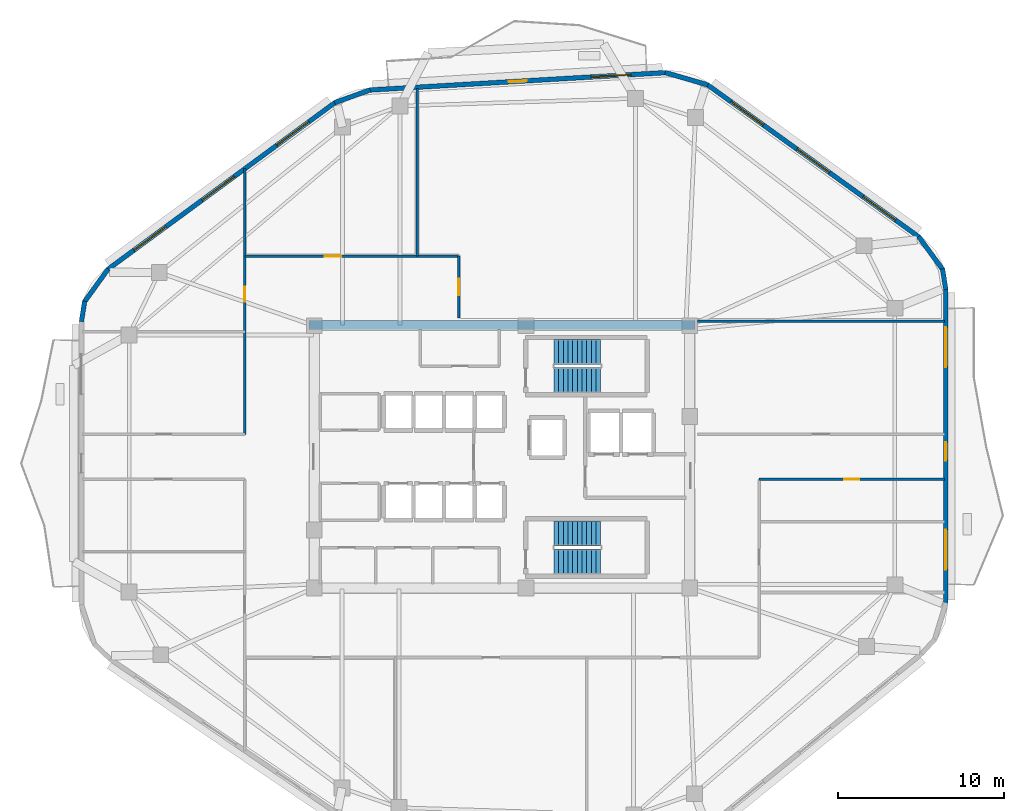
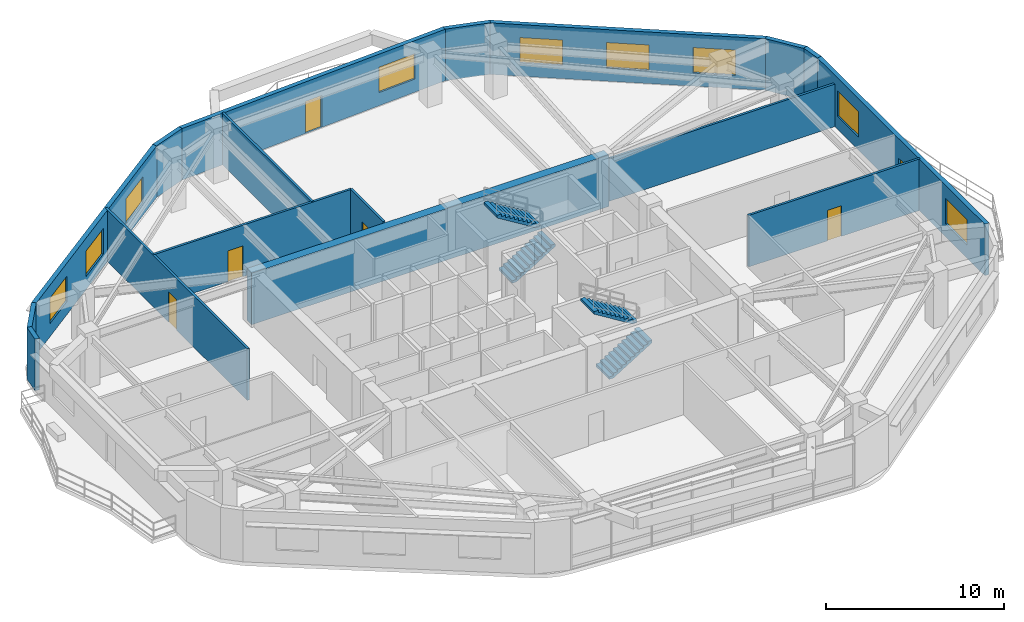
# One storey, part 11 of 14: 17 walls, 9 windows, 6 doors, 4 stair flights, 15 openings, 2 elements without a shape of their own.
"""IFC4 building model written with IfcOpenShell, lengths in metres."""

import ifcopenshell
import ifcopenshell.guid

model = None  # the IFC model being written
_history = None  # IfcOwnerHistory: only IFC2X3 demands one
_inside = {}  # id of a spatial element -> (the spatial element, [elements in it])
_under = {}  # id of a project, library or spatial element -> (it, [spatial elements below it])
_declared = {}  # id of a project -> (the project, [libraries it declares])
_typed = {}  # id of a type object -> (the type object, [elements of that type])
_made_of = {}  # id of a material, layer set ... -> (it, [elements and type objects made of it])


def new_model(schema):
    """Start an empty IFC model of exactly this schema.

    Asked for "IFC4X3", IfcOpenShell would pick the latest addendum, in which some entities
    have other attributes; the version numbers below select the first issue.
    IFC2X3 requires an IfcOwnerHistory on every rooted entity: one is made here for all.
    """
    global model, _history
    if schema == "IFC4X3":
        model = ifcopenshell.file(schema_version=(4, 3, 0, 0))
    else:
        model = ifcopenshell.file(schema=schema)
    _inside.clear()
    _under.clear()
    _declared.clear()
    _typed.clear()
    _made_of.clear()
    _history = None
    if model.schema == "IFC2X3":
        org = make("IfcOrganization", Name="unknown")
        user = make(
            "IfcPersonAndOrganization",
            ThePerson=make("IfcPerson", FamilyName="unknown"),
            TheOrganization=org,
        )
        app = make(
            "IfcApplication",
            ApplicationDeveloper=org,
            Version="unknown",
            ApplicationFullName="unknown",
            ApplicationIdentifier="unknown",
        )
        _history = make(
            "IfcOwnerHistory",
            OwningUser=user,
            OwningApplication=app,
            ChangeAction="ADDED",
            CreationDate=0,
        )
    return model


def make(cls, **values):
    """One entity of the class cls with the attributes given. An attribute that is None is left unset."""
    return model.create_entity(
        cls, **{name: value for name, value in values.items() if value is not None}
    )


def rooted(cls, **values):
    """An entity with a GlobalId (a new one), such as an element, a storey or a relation."""
    return make(cls, GlobalId=ifcopenshell.guid.new(), OwnerHistory=_history, **values)


def si_unit(unit_type, name, prefix=None):
    """IfcSIUnit, for example si_unit("LENGTHUNIT", "METRE", prefix="MILLI")."""
    return make("IfcSIUnit", UnitType=unit_type, Prefix=prefix, Name=name)


def assignment(units):
    """IfcUnitAssignment: the units of a project."""
    return None if units is None else make("IfcUnitAssignment", Units=units)


def point(xyz):
    """IfcCartesianPoint."""
    return None if xyz is None else make("IfcCartesianPoint", Coordinates=xyz)


def direction(xyz):
    """IfcDirection."""
    return None if xyz is None else make("IfcDirection", DirectionRatios=xyz)


def frame(location, z_axis=None, x_axis=None):
    """IfcAxis2Placement3D, a coordinate frame: its origin and axes. An axis left out is left unset."""
    return make(
        "IfcAxis2Placement3D",
        Location=point(location),
        Axis=direction(z_axis),
        RefDirection=direction(x_axis),
    )


def frame_2d(location, x_axis=None):
    """IfcAxis2Placement2D, a coordinate frame in the plane: its origin and x axis."""
    return make(
        "IfcAxis2Placement2D", Location=point(location), RefDirection=direction(x_axis)
    )


def origin():
    """The frame at (0, 0, 0) with its axes left unset."""
    return frame((0.0, 0.0, 0.0))


def place(relative_to, where):
    """IfcLocalPlacement: puts the frame where relative to a parent placement (None: the world)."""
    return make(
        "IfcLocalPlacement", PlacementRelTo=relative_to, RelativePlacement=where
    )


def context(
    kind, dimensions, precision=None, world=None, true_north=None, identifier=None
):
    """IfcGeometricRepresentationContext, for example the 3D "Model" context."""
    return make(
        "IfcGeometricRepresentationContext",
        ContextIdentifier=identifier,
        ContextType=kind,
        CoordinateSpaceDimension=dimensions,
        Precision=precision,
        WorldCoordinateSystem=world,
        TrueNorth=true_north,
    )


def subcontext(parent, identifier, kind, view, scale=None):
    """IfcGeometricRepresentationSubContext, for example "Body" below "Model"."""
    return make(
        "IfcGeometricRepresentationSubContext",
        ContextIdentifier=identifier,
        ContextType=kind,
        ParentContext=parent,
        TargetScale=scale,
        TargetView=view,
    )


def project(units=None, contexts=None):
    """IfcProject with its units and contexts."""
    return rooted(
        "IfcProject",
        Name="project",
        RepresentationContexts=contexts,
        UnitsInContext=assignment(units),
    )


def spatial(cls, under=None, at=None, **own):
    """A site, building, storey or space (cls), placed at a placement, below another one or the project."""
    s = rooted(cls, ObjectPlacement=at, **own)
    if under is not None:
        _under.setdefault(under.id(), (under, []))[1].append(s)
    return s


def polyline(points):
    """IfcPolyline through the points."""
    return make("IfcPolyline", Points=[point(p) for p in points])


def profile(cls, at=None, kind="AREA", **sizes):
    """A parametric profile (cls). Its sizes go by their IFC names, for example OverallWidth=200.0."""
    return make(cls, ProfileType=kind, Position=at, **sizes)


def rectangle(**sizes):
    """IfcRectangleProfileDef."""
    return profile("IfcRectangleProfileDef", **sizes)


def outline(outer, holes=None, kind="AREA"):
    """IfcArbitraryClosedProfileDef: a profile drawn as a closed curve; with holes, ...WithVoids."""
    if holes is None:
        return make("IfcArbitraryClosedProfileDef", ProfileType=kind, OuterCurve=outer)
    return make(
        "IfcArbitraryProfileDefWithVoids",
        ProfileType=kind,
        OuterCurve=outer,
        InnerCurves=holes,
    )


def extrude(swept, where, along, depth):
    """IfcExtrudedAreaSolid: the profile swept, set in the frame where, extruded along a direction by depth."""
    return make(
        "IfcExtrudedAreaSolid",
        SweptArea=swept,
        Position=where,
        ExtrudedDirection=direction(along),
        Depth=depth,
    )


def shape(context_of_items, identifier, shape_type, items):
    """IfcShapeRepresentation: the items that make up one representation, for example the "Body"."""
    return make(
        "IfcShapeRepresentation",
        ContextOfItems=context_of_items,
        RepresentationIdentifier=identifier,
        RepresentationType=shape_type,
        Items=items,
    )


def material(Name=None, Category=None):
    """IfcMaterial."""
    return make("IfcMaterial", Name=Name, Category=Category)


def layer(
    of_material, thickness, ventilated=None, Name=None, Category=None, Priority=None
):
    """IfcMaterialLayer: one layer of a wall or slab, of a material (None: an air gap)."""
    return make(
        "IfcMaterialLayer",
        Material=of_material,
        LayerThickness=thickness,
        IsVentilated=ventilated,
        Name=Name,
        Category=Category,
        Priority=Priority,
    )


def layer_set(layers, Name=None):
    """IfcMaterialLayerSet."""
    return make("IfcMaterialLayerSet", MaterialLayers=layers, LayerSetName=Name)


def made_of(thing, what):
    """Note that an element or type object is made of a material, layer set ...; save() writes the relation."""
    if what is not None:
        _made_of.setdefault(what.id(), (what, []))[1].append(thing)
    return thing


def type_object(cls, material=None, **own):
    """A type object (cls), such as IfcWallType, which elements share."""
    return made_of(rooted(cls, **own), material)


def element(
    cls,
    number,
    at=None,
    inside=None,
    cuts=None,
    type_object=None,
    material=None,
    context=None,
    identifier="Body",
    shape_type=None,
    held_by="IfcProductDefinitionShape",
    body=None,
    shapes=None,
    **own,
):
    """One element of the class cls, such as IfcWall. Its Tag is "e" and its number.

    at: its placement. inside: the storey or other place that contains it. cuts: it is an
    opening in that element (IfcRelVoidsElement). A single representation is given by context,
    identifier, shape_type and body (its items); several are given by shapes. held_by: the class
    of the entity that holds the representations. save() writes the other relations.
    """
    e = rooted(cls, Tag="e%d" % number, ObjectPlacement=at, **own)
    if body is not None:
        shapes = [shape(context, identifier, shape_type, body)]
    if shapes is not None:
        e.Representation = make(held_by, Representations=shapes)
    if inside is not None:
        _inside.setdefault(inside.id(), (inside, []))[1].append(e)
    if cuts is not None:
        rooted(
            "IfcRelVoidsElement", RelatingBuildingElement=cuts, RelatedOpeningElement=e
        )
    if type_object is not None:
        _typed.setdefault(type_object.id(), (type_object, []))[1].append(e)
    return made_of(e, material)


def fill(opening, filler):
    """IfcRelFillsElement: the door or window that sits in an opening."""
    return rooted(
        "IfcRelFillsElement",
        RelatingOpeningElement=opening,
        RelatedBuildingElement=filler,
    )


def aggregate(whole, parts):
    """IfcRelAggregates: a whole, such as a stair, and the parts it consists of."""
    return rooted("IfcRelAggregates", RelatingObject=whole, RelatedObjects=parts)


def save(model, path):
    """Write the relations noted so far, then the file.

    IfcRelAggregates (storeys below a building ...), IfcRelContainedInSpatialStructure (elements
    in a storey), IfcRelDefinesByType, IfcRelAssociatesMaterial and IfcRelDeclares: one each for
    every whole, place, type object, material and project.
    """
    for whole, parts in _under.values():
        aggregate(whole, parts)
    for where, things in _inside.values():
        rooted(
            "IfcRelContainedInSpatialStructure",
            RelatedElements=things,
            RelatingStructure=where,
        )
    for kind, things in _typed.values():
        rooted("IfcRelDefinesByType", RelatedObjects=things, RelatingType=kind)
    for what, things in _made_of.values():
        rooted("IfcRelAssociatesMaterial", RelatedObjects=things, RelatingMaterial=what)
    for by, libraries in _declared.values():
        rooted("IfcRelDeclares", RelatingContext=by, RelatedDefinitions=libraries)
    model.write(path)


model = new_model("IFC4")

# Units and contexts
model_context = context("Model", 3, precision=1e-05, world=origin(), true_north=direction((0.0, 1.0)))
body_context = subcontext(model_context, "Body", "Model", "MODEL_VIEW")
ifc_project = project(units=[si_unit("LENGTHUNIT", "METRE"), si_unit("AREAUNIT", "SQUARE_METRE"), si_unit("VOLUMEUNIT", "CUBIC_METRE"), si_unit("PLANEANGLEUNIT", "RADIAN"), si_unit("MASSUNIT", "GRAM", prefix="KILO")], contexts=[model_context])

# Site, building, storey
site_placement = place(None, origin())
site = spatial("IfcSite", under=ifc_project, at=site_placement, CompositionType="ELEMENT")
building_placement = place(site_placement, origin())
building = spatial("IfcBuilding", under=site, at=building_placement, Name="Zulverin Broadcast Headquarters", CompositionType="ELEMENT")
storey_placement = place(building_placement, frame((0.0, 0.0, 208.60009765625)))
storey = spatial("IfcBuildingStorey", under=building, at=storey_placement, Name="L53", CompositionType="ELEMENT", Elevation=208.60009765625)

# Wall
ifc_material_1 = material(Name="Concrete C60/75", Category="concrete")
ifc_layer_1 = layer(ifc_material_1, 0.550048828125, Name="Concrete C60/75", Category="concrete")
ifc_layer_set_1 = layer_set([ifc_layer_1], Name="Concrete C60/75")
wall_type_1 = type_object("IfcWallType", Name="WL-CORE-550", PredefinedType="SHEAR", material=ifc_layer_set_1)
wall_1_placement = place(storey_placement, frame((25.39990234375, 33.125, 0.0), z_axis=(0.0, 0.0, 1.0), x_axis=(1.0, 0.0, 0.0)))
element("IfcWall", 1, at=wall_1_placement, inside=storey, type_object=wall_type_1, Name="L53 Core North Shear Wall", PredefinedType="SHEAR", context=body_context, shape_type="SweptSolid", body=[
    extrude(rectangle(XDim=23.2001953125, YDim=0.550048828125, at=frame_2d((11.60009765625, 0.0))), origin(), (0.0, 0.0, 1.0), 3.539794921875),
])

# Wall, openings, door, windows
ifc_material_2 = material(Name="Insulated pale-metal clad concrete spandrel C40/50", Category="concrete")
ifc_layer_2 = layer(ifc_material_2, 0.280029296875, Name="Insulated pale-metal clad concrete spandrel C40/50", Category="concrete")
ifc_layer_set_2 = layer_set([ifc_layer_2], Name="Insulated pale-metal clad concrete spandrel C40/50")
wall_type_2 = type_object("IfcWallType", Name="WL-EXT-280", PredefinedType="STANDARD", material=ifc_layer_set_2)
wall_2_placement = place(storey_placement, frame((63.659912109375, 16.390380859375, 0.0), z_axis=(0.0, 0.0, 1.0), x_axis=(0.0, 1.0, 0.0)))
wall_2 = element("IfcWall", 2, at=wall_2_placement, inside=storey, type_object=wall_type_2, Name="L53 Pale-Metal Clad Spandrel Wall 3", PredefinedType="STANDARD", context=body_context, shape_type="SweptSolid", body=[
    extrude(rectangle(XDim=18.875732421875, YDim=0.280029296875, at=frame_2d((9.43798828125, 0.0))), origin(), (0.0, 0.0, 1.0), 3.539794921875),
])
opening_1_placement = place(wall_2_placement, frame((8.587890625, 0.0, 0.0)))
opening_1 = element("IfcOpeningElement", 3, at=opening_1_placement, cuts=wall_2, Name="Opening D-L53-TR3", PredefinedType="OPENING", context=body_context, shape_type="SweptSolid", body=[
    extrude(rectangle(XDim=1.10009765625, YDim=2.199951171875, at=frame_2d((0.550048828125, 1.10009765625))), frame((0.0, 0.14990234375, 0.0), z_axis=(0.0, -1.0, 0.0), x_axis=(1.0, 0.0, 0.0)), (0.0, 0.0, 1.0), 0.300048828125),
])
opening_2_placement = place(wall_2_placement, frame((2.029296875, 0.0, 0.89990234375)))
opening_2 = element("IfcOpeningElement", 4, at=opening_2_placement, cuts=wall_2, Name="Opening W-L53-E31", PredefinedType="OPENING", context=body_context, shape_type="SweptSolid", body=[
    extrude(rectangle(XDim=2.39990234375, YDim=1.75, at=frame_2d((1.199951171875, 0.875))), frame((0.0, 0.14990234375, 0.0), z_axis=(0.0, -1.0, 0.0), x_axis=(1.0, 0.0, 0.0)), (0.0, 0.0, 1.0), 0.300048828125),
])
opening_3_placement = place(wall_2_placement, frame((14.196533203125, 0.0, 0.89990234375)))
opening_3 = element("IfcOpeningElement", 5, at=opening_3_placement, cuts=wall_2, Name="Opening W-L53-E32", PredefinedType="OPENING", context=body_context, shape_type="SweptSolid", body=[
    extrude(rectangle(XDim=2.39990234375, YDim=1.75, at=frame_2d((1.199951171875, 0.875))), frame((0.0, 0.14990234375, 0.0), z_axis=(0.0, -1.0, 0.0), x_axis=(1.0, 0.0, 0.0)), (0.0, 0.0, 1.0), 0.300048828125),
])
ifc_material_3 = material(Name="Thermally broken aluminium glazed", Category="aluminium")
door_type_1 = type_object("IfcDoorType", Name="DR-TERR-1100", OperationType="SINGLE_SWING_RIGHT", PredefinedType="DOOR", material=ifc_material_3)
door_1_placement = place(opening_1_placement, origin())
door_1 = element("IfcDoor", 6, at=door_1_placement, inside=storey, type_object=door_type_1, Name="L53 Planted Terrace Glazed Access Door 3", OperationType="SINGLE_SWING_RIGHT", OverallHeight=2.199951171875, OverallWidth=1.10009765625, PredefinedType="DOOR", context=body_context, shape_type="SweptSolid", body=[
    extrude(rectangle(XDim=1.10009765625, YDim=2.199951171875, at=frame_2d((0.550048828125, 1.10009765625))), frame((0.0, 0.02490234375, 0.0), z_axis=(0.0, -1.0, 0.0), x_axis=(1.0, 0.0, 0.0)), (0.0, 0.0, 1.0), 0.050048828125),
])
fill(opening_1, door_1)
ifc_material_4 = material(Name="Pale anodized aluminium frame with solar-control low-E double glazing", Category="aluminium")
window_type = type_object("IfcWindowType", Name="WIN-RIB-2400", PartitioningType="SINGLE_PANEL", PredefinedType="WINDOW", material=ifc_material_4)
window_1_placement = place(opening_2_placement, origin())
window_1 = element("IfcWindow", 7, at=window_1_placement, inside=storey, type_object=window_type, Name="L53 Ribbon Glazing Window 3 1", OverallHeight=1.75, OverallWidth=2.39990234375, PartitioningType="SINGLE_PANEL", PredefinedType="WINDOW", context=body_context, shape_type="SweptSolid", body=[
    extrude(rectangle(XDim=2.39990234375, YDim=1.75, at=frame_2d((1.199951171875, 0.875))), frame((0.0, 0.030029296875, 0.0), z_axis=(0.0, -1.0, 0.0), x_axis=(1.0, 0.0, 0.0)), (0.0, 0.0, 1.0), 0.06005859375),
])
fill(opening_2, window_1)
window_2_placement = place(opening_3_placement, origin())
window_2 = element("IfcWindow", 8, at=window_2_placement, inside=storey, type_object=window_type, Name="L53 Ribbon Glazing Window 3 2", OverallHeight=1.75, OverallWidth=2.39990234375, PartitioningType="SINGLE_PANEL", PredefinedType="WINDOW", context=body_context, shape_type="SweptSolid", body=[
    extrude(rectangle(XDim=2.39990234375, YDim=1.75, at=frame_2d((1.199951171875, 0.875))), frame((0.0, 0.030029296875, 0.0), z_axis=(0.0, -1.0, 0.0), x_axis=(1.0, 0.0, 0.0)), (0.0, 0.0, 1.0), 0.06005859375),
])
fill(opening_3, window_2)

# Wall, openings, windows
wall_3_placement = place(storey_placement, frame((62.054443359375, 38.3994140625, 0.0), z_axis=(0.0, 0.0, 1.0), x_axis=(-0.81172124793, 0.584045045915, 0.0)))
wall_3 = element("IfcWall", 9, at=wall_3_placement, inside=storey, type_object=wall_type_2, Name="L53 Pale-Metal Clad Spandrel Wall 4", PredefinedType="STANDARD", context=body_context, shape_type="SweptSolid", body=[
    extrude(rectangle(XDim=15.679443359375, YDim=0.280029296875, at=frame_2d((7.83984375, 0.0))), origin(), (0.0, 0.0, 1.0), 3.539794921875),
])
opening_4_placement = place(wall_3_placement, frame((1.74658203125, 0.0, 0.89990234375)))
opening_4 = element("IfcOpeningElement", 10, at=opening_4_placement, cuts=wall_3, Name="Opening W-L53-E41", PredefinedType="OPENING", context=body_context, shape_type="SweptSolid", body=[
    extrude(rectangle(XDim=2.39990234375, YDim=1.75, at=frame_2d((1.199951171875, 0.875))), frame((0.0, 0.14990234375, 0.0), z_axis=(0.0, -1.0, 0.0), x_axis=(1.0, 0.0, 0.0)), (0.0, 0.0, 1.0), 0.300048828125),
])
opening_5_placement = place(wall_3_placement, frame((6.6396484375, 0.0, 0.89990234375)))
opening_5 = element("IfcOpeningElement", 11, at=opening_5_placement, cuts=wall_3, Name="Opening W-L53-E42", PredefinedType="OPENING", context=body_context, shape_type="SweptSolid", body=[
    extrude(rectangle(XDim=2.39990234375, YDim=1.75, at=frame_2d((1.199951171875, 0.875))), frame((0.0, 0.14990234375, 0.0), z_axis=(0.0, -1.0, 0.0), x_axis=(1.0, 0.0, 0.0)), (0.0, 0.0, 1.0), 0.300048828125),
])
opening_6_placement = place(wall_3_placement, frame((11.53271484375, 0.0, 0.89990234375)))
opening_6 = element("IfcOpeningElement", 12, at=opening_6_placement, cuts=wall_3, Name="Opening W-L53-E43", PredefinedType="OPENING", context=body_context, shape_type="SweptSolid", body=[
    extrude(rectangle(XDim=2.39990234375, YDim=1.75, at=frame_2d((1.199951171875, 0.875))), frame((0.0, 0.14990234375, 0.0), z_axis=(0.0, -1.0, 0.0), x_axis=(1.0, 0.0, 0.0)), (0.0, 0.0, 1.0), 0.300048828125),
])
window_3_placement = place(opening_4_placement, origin())
window_3 = element("IfcWindow", 13, at=window_3_placement, inside=storey, type_object=window_type, Name="L53 Ribbon Glazing Window 4 1", OverallHeight=1.75, OverallWidth=2.39990234375, PartitioningType="SINGLE_PANEL", PredefinedType="WINDOW", context=body_context, shape_type="SweptSolid", body=[
    extrude(rectangle(XDim=2.39990234375, YDim=1.75, at=frame_2d((1.199951171875, 0.875))), frame((0.0, 0.030029296875, 0.0), z_axis=(0.0, -1.0, 0.0), x_axis=(1.0, 0.0, 0.0)), (0.0, 0.0, 1.0), 0.06005859375),
])
fill(opening_4, window_3)
window_4_placement = place(opening_5_placement, origin())
window_4 = element("IfcWindow", 14, at=window_4_placement, inside=storey, type_object=window_type, Name="L53 Ribbon Glazing Window 4 2", OverallHeight=1.75, OverallWidth=2.39990234375, PartitioningType="SINGLE_PANEL", PredefinedType="WINDOW", context=body_context, shape_type="SweptSolid", body=[
    extrude(rectangle(XDim=2.39990234375, YDim=1.75, at=frame_2d((1.199951171875, 0.875))), frame((0.0, 0.030029296875, 0.0), z_axis=(0.0, -1.0, 0.0), x_axis=(1.0, 0.0, 0.0)), (0.0, 0.0, 1.0), 0.06005859375),
])
fill(opening_5, window_4)
window_5_placement = place(opening_6_placement, origin())
window_5 = element("IfcWindow", 15, at=window_5_placement, inside=storey, type_object=window_type, Name="L53 Ribbon Glazing Window 4 3", OverallHeight=1.75, OverallWidth=2.39990234375, PartitioningType="SINGLE_PANEL", PredefinedType="WINDOW", context=body_context, shape_type="SweptSolid", body=[
    extrude(rectangle(XDim=2.39990234375, YDim=1.75, at=frame_2d((1.199951171875, 0.875))), frame((0.0, 0.030029296875, 0.0), z_axis=(0.0, -1.0, 0.0), x_axis=(1.0, 0.0, 0.0)), (0.0, 0.0, 1.0), 0.06005859375),
])
fill(opening_6, window_5)

# Wall, openings, door, window
wall_4_placement = place(storey_placement, frame((46.84619140625, 48.27685546875, 0.0), z_axis=(0.0, 0.0, 1.0), x_axis=(-0.998273806631, -0.05873165241, 0.0)))
wall_4 = element("IfcWall", 16, at=wall_4_placement, inside=storey, type_object=wall_type_2, Name="L53 Pale-Metal Clad Spandrel Wall 5", PredefinedType="STANDARD", context=body_context, shape_type="SweptSolid", body=[
    extrude(rectangle(XDim=17.8330078125, YDim=0.280029296875, at=frame_2d((8.91650390625, 0.0))), origin(), (0.0, 0.0, 1.0), 3.539794921875),
])
opening_7_placement = place(wall_4_placement, frame((8.366455078125, 0.0, 0.0)))
opening_7 = element("IfcOpeningElement", 17, at=opening_7_placement, cuts=wall_4, Name="Opening D-L53-TR5", PredefinedType="OPENING", context=body_context, shape_type="SweptSolid", body=[
    extrude(rectangle(XDim=1.10009765625, YDim=2.199951171875, at=frame_2d((0.550048828125, 1.10009765625))), frame((0.0, 0.14990234375, 0.0), z_axis=(0.0, -1.0, 0.0), x_axis=(1.0, 0.0, 0.0)), (0.0, 0.0, 1.0), 0.300048828125),
])
opening_8_placement = place(wall_4_placement, frame((2.10546875, 0.0, 0.89990234375)))
opening_8 = element("IfcOpeningElement", 18, at=opening_8_placement, cuts=wall_4, Name="Opening W-L53-E51", PredefinedType="OPENING", context=body_context, shape_type="SweptSolid", body=[
    extrude(rectangle(XDim=2.39990234375, YDim=1.75, at=frame_2d((1.199951171875, 0.875))), frame((0.0, 0.14990234375, 0.0), z_axis=(0.0, -1.0, 0.0), x_axis=(1.0, 0.0, 0.0)), (0.0, 0.0, 1.0), 0.300048828125),
])
door_2_placement = place(opening_7_placement, origin())
door_2 = element("IfcDoor", 19, at=door_2_placement, inside=storey, type_object=door_type_1, Name="L53 Planted Terrace Glazed Access Door 5", OperationType="SINGLE_SWING_RIGHT", OverallHeight=2.199951171875, OverallWidth=1.10009765625, PredefinedType="DOOR", context=body_context, shape_type="SweptSolid", body=[
    extrude(rectangle(XDim=1.10009765625, YDim=2.199951171875, at=frame_2d((0.550048828125, 1.10009765625))), frame((0.0, 0.02490234375, 0.0), z_axis=(0.0, -1.0, 0.0), x_axis=(1.0, 0.0, 0.0)), (0.0, 0.0, 1.0), 0.050048828125),
])
fill(opening_7, door_2)
window_6_placement = place(opening_8_placement, origin())
window_6 = element("IfcWindow", 20, at=window_6_placement, inside=storey, type_object=window_type, Name="L53 Ribbon Glazing Window 5 1", OverallHeight=1.75, OverallWidth=2.39990234375, PartitioningType="SINGLE_PANEL", PredefinedType="WINDOW", context=body_context, shape_type="SweptSolid", body=[
    extrude(rectangle(XDim=2.39990234375, YDim=1.75, at=frame_2d((1.199951171875, 0.875))), frame((0.0, 0.030029296875, 0.0), z_axis=(0.0, -1.0, 0.0), x_axis=(1.0, 0.0, 0.0)), (0.0, 0.0, 1.0), 0.06005859375),
])
fill(opening_8, window_6)

# Wall, openings, windows
wall_5_placement = place(storey_placement, frame((26.986083984375, 46.48779296875, 0.0), z_axis=(0.0, 0.0, 1.0), x_axis=(-0.806097783211, -0.59178236194, 0.0)))
wall_5 = element("IfcWall", 21, at=wall_5_placement, inside=storey, type_object=wall_type_2, Name="L53 Pale-Metal Clad Spandrel Wall 6", PredefinedType="STANDARD", context=body_context, shape_type="SweptSolid", body=[
    extrude(rectangle(XDim=16.958740234375, YDim=0.280029296875, at=frame_2d((8.4794921875, 0.0))), origin(), (0.0, 0.0, 1.0), 3.539794921875),
])
opening_9_placement = place(wall_5_placement, frame((1.959716796875, 0.0, 0.89990234375)))
opening_9 = element("IfcOpeningElement", 22, at=opening_9_placement, cuts=wall_5, Name="Opening W-L53-E61", PredefinedType="OPENING", context=body_context, shape_type="SweptSolid", body=[
    extrude(rectangle(XDim=2.39990234375, YDim=1.75, at=frame_2d((1.199951171875, 0.875))), frame((0.0, 0.14990234375, 0.0), z_axis=(0.0, -1.0, 0.0), x_axis=(1.0, 0.0, 0.0)), (0.0, 0.0, 1.0), 0.300048828125),
])
opening_10_placement = place(wall_5_placement, frame((7.529296875, 0.0, 0.89990234375)))
opening_10 = element("IfcOpeningElement", 23, at=opening_10_placement, cuts=wall_5, Name="Opening W-L53-E62", PredefinedType="OPENING", context=body_context, shape_type="SweptSolid", body=[
    extrude(rectangle(XDim=2.39990234375, YDim=1.75, at=frame_2d((1.199951171875, 0.875))), frame((0.0, 0.14990234375, 0.0), z_axis=(0.0, -1.0, 0.0), x_axis=(1.0, 0.0, 0.0)), (0.0, 0.0, 1.0), 0.300048828125),
])
opening_11_placement = place(wall_5_placement, frame((12.59912109375, 0.0, 0.89990234375)))
opening_11 = element("IfcOpeningElement", 24, at=opening_11_placement, cuts=wall_5, Name="Opening W-L53-E63", PredefinedType="OPENING", context=body_context, shape_type="SweptSolid", body=[
    extrude(rectangle(XDim=2.39990234375, YDim=1.75, at=frame_2d((1.199951171875, 0.875))), frame((0.0, 0.14990234375, 0.0), z_axis=(0.0, -1.0, 0.0), x_axis=(1.0, 0.0, 0.0)), (0.0, 0.0, 1.0), 0.300048828125),
])
window_7_placement = place(opening_9_placement, origin())
window_7 = element("IfcWindow", 25, at=window_7_placement, inside=storey, type_object=window_type, Name="L53 Ribbon Glazing Window 6 1", OverallHeight=1.75, OverallWidth=2.39990234375, PartitioningType="SINGLE_PANEL", PredefinedType="WINDOW", context=body_context, shape_type="SweptSolid", body=[
    extrude(rectangle(XDim=2.39990234375, YDim=1.75, at=frame_2d((1.199951171875, 0.875))), frame((0.0, 0.030029296875, 0.0), z_axis=(0.0, -1.0, 0.0), x_axis=(1.0, 0.0, 0.0)), (0.0, 0.0, 1.0), 0.06005859375),
])
fill(opening_9, window_7)
window_8_placement = place(opening_10_placement, origin())
window_8 = element("IfcWindow", 26, at=window_8_placement, inside=storey, type_object=window_type, Name="L53 Ribbon Glazing Window 6 2", OverallHeight=1.75, OverallWidth=2.39990234375, PartitioningType="SINGLE_PANEL", PredefinedType="WINDOW", context=body_context, shape_type="SweptSolid", body=[
    extrude(rectangle(XDim=2.39990234375, YDim=1.75, at=frame_2d((1.199951171875, 0.875))), frame((0.0, 0.030029296875, 0.0), z_axis=(0.0, -1.0, 0.0), x_axis=(1.0, 0.0, 0.0)), (0.0, 0.0, 1.0), 0.06005859375),
])
fill(opening_10, window_8)
window_9_placement = place(opening_11_placement, origin())
window_9 = element("IfcWindow", 27, at=window_9_placement, inside=storey, type_object=window_type, Name="L53 Ribbon Glazing Window 6 3", OverallHeight=1.75, OverallWidth=2.39990234375, PartitioningType="SINGLE_PANEL", PredefinedType="WINDOW", context=body_context, shape_type="SweptSolid", body=[
    extrude(rectangle(XDim=2.39990234375, YDim=1.75, at=frame_2d((1.199951171875, 0.875))), frame((0.0, 0.030029296875, 0.0), z_axis=(0.0, -1.0, 0.0), x_axis=(1.0, 0.0, 0.0)), (0.0, 0.0, 1.0), 0.06005859375),
])
fill(opening_11, window_9)

# Walls
wall_6_placement = place(storey_placement, frame((63.66162109375, 35.244140625, 0.0), z_axis=(0.0, 0.0, 1.0), x_axis=(-0.157059104921, 0.987589204863, 0.0)))
element("IfcWall", 28, at=wall_6_placement, inside=storey, type_object=wall_type_2, Name="L53 Wind-Shaped Corner Spandrel Wall 3-1", PredefinedType="STANDARD", context=body_context, shape_type="SweptSolid", body=[
    extrude(rectangle(XDim=1.257568359375, YDim=0.280029296875, at=frame_2d((0.62890625, 0.0))), origin(), (0.0, 0.0, 1.0), 3.539794921875),
])
wall_7_placement = place(storey_placement, frame((63.4892578125, 36.425537109375, 0.0), z_axis=(0.0, 0.0, 1.0), x_axis=(-0.590267940876, 0.80720738226, 0.0)))
element("IfcWall", 29, at=wall_7_placement, inside=storey, type_object=wall_type_2, Name="L53 Wind-Shaped Corner Spandrel Wall 3-2", PredefinedType="STANDARD", context=body_context, shape_type="SweptSolid", body=[
    extrude(rectangle(XDim=2.483642578125, YDim=0.280029296875, at=frame_2d((1.24169921875, 0.0))), origin(), (0.0, 0.0, 1.0), 3.539794921875),
])
wall_8_placement = place(storey_placement, frame((49.3701171875, 47.535888671875, 0.0), z_axis=(0.0, 0.0, 1.0), x_axis=(-0.960380089791, 0.278693529048, 0.0)))
element("IfcWall", 30, at=wall_8_placement, inside=storey, type_object=wall_type_2, Name="L53 Wind-Shaped Corner Spandrel Wall 4-1", PredefinedType="STANDARD", context=body_context, shape_type="SweptSolid", body=[
    extrude(rectangle(XDim=2.677001953125, YDim=0.280029296875, at=frame_2d((1.33837890625, 0.0))), origin(), (0.0, 0.0, 1.0), 3.539794921875),
])
wall_9_placement = place(storey_placement, frame((29.083251953125, 47.23779296875, 0.0), z_axis=(0.0, 0.0, 1.0), x_axis=(-0.940723909279, -0.33917329864, 0.0)))
element("IfcWall", 31, at=wall_9_placement, inside=storey, type_object=wall_type_2, Name="L53 Wind-Shaped Corner Spandrel Wall 5-1", PredefinedType="STANDARD", context=body_context, shape_type="SweptSolid", body=[
    extrude(rectangle(XDim=2.2666015625, YDim=0.280029296875, at=frame_2d((1.13330078125, 0.0))), origin(), (0.0, 0.0, 1.0), 3.539794921875),
])
wall_10_placement = place(storey_placement, frame((13.346435546875, 36.48291015625, 0.0), z_axis=(0.0, 0.0, 1.0), x_axis=(-0.585128091556, -0.810940883463, 0.0)))
element("IfcWall", 32, at=wall_10_placement, inside=storey, type_object=wall_type_2, Name="L53 Wind-Shaped Corner Spandrel Wall 6-1", PredefinedType="STANDARD", context=body_context, shape_type="SweptSolid", body=[
    extrude(rectangle(XDim=2.459716796875, YDim=0.280029296875, at=frame_2d((1.22998046875, 0.0))), origin(), (0.0, 0.0, 1.0), 3.539794921875),
])
wall_11_placement = place(storey_placement, frame((11.931884765625, 34.54833984375, 0.0), z_axis=(0.0, 0.0, 1.0), x_axis=(-0.155519443181, -0.987832831401, 0.0)))
element("IfcWall", 33, at=wall_11_placement, inside=storey, type_object=wall_type_2, Name="L53 Wind-Shaped Corner Spandrel Wall 6-2", PredefinedType="STANDARD", context=body_context, shape_type="SweptSolid", body=[
    extrude(rectangle(XDim=1.244873046875, YDim=0.280029296875, at=frame_2d((0.62255859375, 0.0))), origin(), (0.0, 0.0, 1.0), 3.539794921875),
])

# Wall, opening, door
ifc_material_5 = material(Name="Fire-rated gypsum stud partition", Category="gypsum")
ifc_layer_3 = layer(ifc_material_5, 0.14990234375, Name="Fire-rated gypsum stud partition", Category="gypsum")
ifc_layer_set_3 = layer_set([ifc_layer_3], Name="Fire-rated gypsum stud partition")
wall_type_3 = type_object("IfcWallType", Name="WL-PART-150", PredefinedType="PARTITIONING", material=ifc_layer_set_3)
wall_12_placement = place(storey_placement, frame((34.39990234375, 33.5400390625, 0.0), z_axis=(0.0, 0.0, 1.0), x_axis=(0.0, 1.0, 0.0)))
wall_12 = element("IfcWall", 34, at=wall_12_placement, inside=storey, type_object=wall_type_3, Name="L53 Gallery Partition Wall CG-03", PredefinedType="PARTITIONING", context=body_context, shape_type="SweptSolid", body=[
    extrude(rectangle(XDim=3.7099609375, YDim=0.14990234375, at=frame_2d((1.85498046875, 0.0))), origin(), (0.0, 0.0, 1.0), 3.539794921875),
])
opening_12_placement = place(wall_12_placement, frame((1.35498046875, 0.0, 0.0)))
opening_12 = element("IfcOpeningElement", 35, at=opening_12_placement, cuts=wall_12, Name="Opening D-L53-02", PredefinedType="OPENING", context=body_context, shape_type="SweptSolid", body=[
    extrude(rectangle(XDim=1.0, YDim=2.1201171875, at=frame_2d((0.5, 1.06005859375))), frame((0.0, 0.0849609375, 0.0), z_axis=(0.0, -1.0, 0.0), x_axis=(1.0, 0.0, 0.0)), (0.0, 0.0, 1.0), 0.169921875),
])
ifc_material_6 = material(Name="Hardwood veneer acoustic leaf", Category="wood")
door_type_2 = type_object("IfcDoorType", Name="DR-OFF-1000", OperationType="SINGLE_SWING_LEFT", PredefinedType="DOOR", material=ifc_material_6)
door_3_placement = place(opening_12_placement, origin())
door_3 = element("IfcDoor", 36, at=door_3_placement, inside=storey, type_object=door_type_2, Name="L53 News Wire Office Door", OperationType="SINGLE_SWING_LEFT", OverallHeight=2.1201171875, OverallWidth=1.0, PredefinedType="DOOR", context=body_context, shape_type="SweptSolid", body=[
    extrude(rectangle(XDim=1.0, YDim=2.1201171875, at=frame_2d((0.5, 1.06005859375))), frame((0.0, 0.02490234375, 0.0), z_axis=(0.0, -1.0, 0.0), x_axis=(1.0, 0.0, 0.0)), (0.0, 0.0, 1.0), 0.050048828125),
])
fill(opening_12, door_3)

# Wall
wall_13_placement = place(storey_placement, frame((31.89990234375, 37.25, 0.0), z_axis=(0.0, 0.0, 1.0), x_axis=(0.0, 1.0, 0.0)))
element("IfcWall", 37, at=wall_13_placement, inside=storey, type_object=wall_type_3, Name="L53 Room Partition Wall RP-04", PredefinedType="PARTITIONING", context=body_context, shape_type="SweptSolid", body=[
    extrude(rectangle(XDim=10.0830078125, YDim=0.14990234375, at=frame_2d((5.04150390625, 0.0))), origin(), (0.0, 0.0, 1.0), 3.539794921875),
])

# Wall, opening, door
wall_14_placement = place(storey_placement, frame((21.550048828125, 26.550048828125, 0.0), z_axis=(0.0, 0.0, 1.0), x_axis=(0.0, 1.0, 0.0)))
wall_14 = element("IfcWall", 38, at=wall_14_placement, inside=storey, type_object=wall_type_3, Name="L53 Gallery Partition Wall CG-07", PredefinedType="PARTITIONING", context=body_context, shape_type="SweptSolid", body=[
    extrude(rectangle(XDim=15.98046875, YDim=0.14990234375, at=frame_2d((7.990234375, 0.0))), origin(), (0.0, 0.0, 1.0), 3.539794921875),
])
opening_13_placement = place(wall_14_placement, frame((7.97509765625, 0.0, 0.0)))
opening_13 = element("IfcOpeningElement", 39, at=opening_13_placement, cuts=wall_14, Name="Opening D-L53-09", PredefinedType="OPENING", context=body_context, shape_type="SweptSolid", body=[
    extrude(rectangle(XDim=0.89990234375, YDim=2.10009765625, at=frame_2d((0.449951171875, 1.050048828125))), frame((0.0, 0.0849609375, 0.0), z_axis=(0.0, -1.0, 0.0), x_axis=(1.0, 0.0, 0.0)), (0.0, 0.0, 1.0), 0.169921875),
])
ifc_material_7 = material(Name="Fire-rated hardwood veneer timber leaf", Category="wood")
door_type_3 = type_object("IfcDoorType", Name="DR-ROOM-900", OperationType="SINGLE_SWING_RIGHT", PredefinedType="DOOR", material=ifc_material_7)
door_4_placement = place(opening_13_placement, origin())
door_4 = element("IfcDoor", 40, at=door_4_placement, inside=storey, type_object=door_type_3, Name="L53 Editorial Coaching Suite Door", OperationType="SINGLE_SWING_RIGHT", OverallHeight=2.10009765625, OverallWidth=0.89990234375, PredefinedType="DOOR", context=body_context, shape_type="SweptSolid", body=[
    extrude(rectangle(XDim=0.89990234375, YDim=2.10009765625, at=frame_2d((0.449951171875, 1.050048828125))), frame((0.0, 0.02490234375, 0.0), z_axis=(0.0, -1.0, 0.0), x_axis=(1.0, 0.0, 0.0)), (0.0, 0.0, 1.0), 0.050048828125),
])
fill(opening_13, door_4)

wall_15_placement = place(storey_placement, frame((52.449951171875, 23.85009765625, 0.0), z_axis=(0.0, 0.0, 1.0), x_axis=(1.0, 0.0, 0.0)))
wall_15 = element("IfcWall", 41, at=wall_15_placement, inside=storey, type_object=wall_type_3, Name="L53 Gallery Partition Wall CG-13", PredefinedType="PARTITIONING", context=body_context, shape_type="SweptSolid", body=[
    extrude(rectangle(XDim=11.14501953125, YDim=0.14990234375, at=frame_2d((5.572509765625, 0.0))), origin(), (0.0, 0.0, 1.0), 3.539794921875),
])
opening_14_placement = place(wall_15_placement, frame((5.12255859375, 0.0, 0.0)))
opening_14 = element("IfcOpeningElement", 42, at=opening_14_placement, cuts=wall_15, Name="Opening D-L53-11", PredefinedType="OPENING", context=body_context, shape_type="SweptSolid", body=[
    extrude(rectangle(XDim=0.89990234375, YDim=2.10009765625, at=frame_2d((0.449951171875, 1.050048828125))), frame((0.0, 0.0849609375, 0.0), z_axis=(0.0, -1.0, 0.0), x_axis=(1.0, 0.0, 0.0)), (0.0, 0.0, 1.0), 0.169921875),
])
door_5_placement = place(opening_14_placement, origin())
door_5 = element("IfcDoor", 43, at=door_5_placement, inside=storey, type_object=door_type_3, Name="L53 Tea Pantry Door", OperationType="SINGLE_SWING_RIGHT", OverallHeight=2.10009765625, OverallWidth=0.89990234375, PredefinedType="DOOR", context=body_context, shape_type="SweptSolid", body=[
    extrude(rectangle(XDim=0.89990234375, YDim=2.10009765625, at=frame_2d((0.449951171875, 1.050048828125))), frame((0.0, 0.02490234375, 0.0), z_axis=(0.0, -1.0, 0.0), x_axis=(1.0, 0.0, 0.0)), (0.0, 0.0, 1.0), 0.050048828125),
])
fill(opening_14, door_5)

# Wall
wall_16_placement = place(storey_placement, frame((48.739990234375, 33.35009765625, 0.0), z_axis=(0.0, 0.0, 1.0), x_axis=(1.0, 0.0, 0.0)))
element("IfcWall", 44, at=wall_16_placement, inside=storey, type_object=wall_type_3, Name="L53 Room Partition Wall RP-17", PredefinedType="PARTITIONING", context=body_context, shape_type="SweptSolid", body=[
    extrude(rectangle(XDim=14.85498046875, YDim=0.14990234375, at=frame_2d((7.427490234375, 0.0))), origin(), (0.0, 0.0, 1.0), 2.922607421875),
])

# Wall, opening, door
wall_17_placement = place(storey_placement, frame((21.550048828125, 37.25, 0.0), z_axis=(0.0, 0.0, 1.0), x_axis=(1.0, 0.0, 0.0)))
wall_17 = element("IfcWall", 45, at=wall_17_placement, inside=storey, type_object=wall_type_3, Name="L53 Gallery Partition Wall CG-18", PredefinedType="PARTITIONING", context=body_context, shape_type="SweptSolid", body=[
    extrude(rectangle(XDim=12.849853515625, YDim=0.14990234375, at=frame_2d((6.4248046875, 0.0))), origin(), (0.0, 0.0, 1.0), 3.539794921875),
])
opening_15_placement = place(wall_17_placement, frame((4.794921875, 0.0, 0.0)))
opening_15 = element("IfcOpeningElement", 46, at=opening_15_placement, cuts=wall_17, Name="Opening D-L53-01", PredefinedType="OPENING", context=body_context, shape_type="SweptSolid", body=[
    extrude(rectangle(XDim=1.0, YDim=2.1201171875, at=frame_2d((0.5, 1.06005859375))), frame((0.0, 0.0849609375, 0.0), z_axis=(0.0, -1.0, 0.0), x_axis=(1.0, 0.0, 0.0)), (0.0, 0.0, 1.0), 0.169921875),
])
door_6_placement = place(opening_15_placement, origin())
door_6 = element("IfcDoor", 47, at=door_6_placement, inside=storey, type_object=door_type_2, Name="L53 Regional Languages Office Door", OperationType="SINGLE_SWING_RIGHT", OverallHeight=2.1201171875, OverallWidth=1.0, PredefinedType="DOOR", context=body_context, shape_type="SweptSolid", body=[
    extrude(rectangle(XDim=1.0, YDim=2.1201171875, at=frame_2d((0.5, 1.06005859375))), frame((0.0, 0.02490234375, 0.0), z_axis=(0.0, -1.0, 0.0), x_axis=(1.0, 0.0, 0.0)), (0.0, 0.0, 1.0), 0.050048828125),
])
fill(opening_15, door_6)

# Stair, stair flights
ifc_material_8 = material(Name="Concrete C40/50", Category="concrete")
stair_type = type_object("IfcStairType", Name="ST-CORE-1500", PredefinedType="HALF_TURN_STAIR", material=ifc_material_8)
stair_1_placement = place(storey_placement, origin())
stair_1 = element("IfcStair", 48, at=stair_1_placement, inside=storey, type_object=stair_type, Name="L53 Core Exit Stair ST-1", PredefinedType="HALF_TURN_STAIR")
stair_flight_type = type_object("IfcStairFlightType", Name="SF-CORE-1500", PredefinedType="STRAIGHT", material=ifc_material_8)
stair_flight_1_placement = place(storey_placement, frame((40.1298828125, 29.800048828125, 0.0), z_axis=(0.0, 0.0, 1.0), x_axis=(1.0, 0.0, 0.0)))
stair_flight_1 = element("IfcStairFlight", 49, at=stair_flight_1_placement, type_object=stair_flight_type, Name="ST-1 flight 1", NumberOfRisers=11, NumberOfTreads=10, PredefinedType="STRAIGHT", RiserHeight=0.172727273, TreadLength=0.28, context=body_context, shape_type="SweptSolid", body=[
    extrude(outline(polyline([(0.0, 0.0), (0.0, 0.172607421875), (0.280029296875, 0.172607421875), (0.280029296875, 0.345458984375), (0.56005859375, 0.345458984375), (0.56005859375, 0.51806640625), (0.840087890625, 0.51806640625), (0.840087890625, 0.69091796875), (1.1201171875, 0.69091796875), (1.1201171875, 0.863525390625), (1.39990234375, 0.863525390625), (1.39990234375, 1.036376953125), (1.679931640625, 1.036376953125), (1.679931640625, 1.208984375), (1.9599609375, 1.208984375), (1.9599609375, 1.3818359375), (2.239990234375, 1.3818359375), (2.239990234375, 1.554443359375), (2.52001953125, 1.554443359375), (2.52001953125, 1.727294921875), (2.800048828125, 1.727294921875), (2.800048828125, 1.89990234375), (2.800048828125, 1.551025390625), (0.285400390625, 0.0), (0.0, 0.0)])), frame((0.0, 0.75, 0.0), z_axis=(0.0, -1.0, 0.0), x_axis=(1.0, 0.0, 0.0)), (0.0, 0.0, 1.0), 1.5),
])
stair_flight_2_placement = place(storey_placement, frame((42.929931640625, 31.5, 1.89990234375), z_axis=(0.0, 0.0, 1.0), x_axis=(-1.0, 0.0, 0.0)))
stair_flight_2 = element("IfcStairFlight", 50, at=stair_flight_2_placement, type_object=stair_flight_type, Name="ST-1 flight 2", NumberOfRisers=11, NumberOfTreads=10, PredefinedType="STRAIGHT", RiserHeight=0.172727273, TreadLength=0.28, context=body_context, shape_type="SweptSolid", body=[
    extrude(outline(polyline([(0.0, 0.0), (0.0, 0.172607421875), (0.280029296875, 0.172607421875), (0.280029296875, 0.345458984375), (0.56005859375, 0.345458984375), (0.56005859375, 0.51806640625), (0.840087890625, 0.51806640625), (0.840087890625, 0.69091796875), (1.1201171875, 0.69091796875), (1.1201171875, 0.863525390625), (1.39990234375, 0.863525390625), (1.39990234375, 1.036376953125), (1.679931640625, 1.036376953125), (1.679931640625, 1.208984375), (1.9599609375, 1.208984375), (1.9599609375, 1.3818359375), (2.239990234375, 1.3818359375), (2.239990234375, 1.554443359375), (2.52001953125, 1.554443359375), (2.52001953125, 1.727294921875), (2.800048828125, 1.727294921875), (2.800048828125, 1.89990234375), (2.800048828125, 1.551025390625), (0.285400390625, 0.0), (0.0, 0.0)])), frame((0.0, 0.75, 0.0), z_axis=(0.0, -1.0, 0.0), x_axis=(1.0, 0.0, 0.0)), (0.0, 0.0, 1.0), 1.5),
])
aggregate(stair_1, [stair_flight_1, stair_flight_2])

stair_2_placement = place(storey_placement, origin())
stair_2 = element("IfcStair", 51, at=stair_2_placement, inside=storey, type_object=stair_type, Name="L53 Core Exit Stair ST-2", PredefinedType="HALF_TURN_STAIR")
stair_flight_3_placement = place(storey_placement, frame((40.1298828125, 18.89990234375, 0.0), z_axis=(0.0, 0.0, 1.0), x_axis=(1.0, 0.0, 0.0)))
stair_flight_3 = element("IfcStairFlight", 52, at=stair_flight_3_placement, type_object=stair_flight_type, Name="ST-2 flight 1", NumberOfRisers=11, NumberOfTreads=10, PredefinedType="STRAIGHT", RiserHeight=0.172727273, TreadLength=0.28, context=body_context, shape_type="SweptSolid", body=[
    extrude(outline(polyline([(0.0, 0.0), (0.0, 0.172607421875), (0.280029296875, 0.172607421875), (0.280029296875, 0.345458984375), (0.56005859375, 0.345458984375), (0.56005859375, 0.51806640625), (0.840087890625, 0.51806640625), (0.840087890625, 0.69091796875), (1.1201171875, 0.69091796875), (1.1201171875, 0.863525390625), (1.39990234375, 0.863525390625), (1.39990234375, 1.036376953125), (1.679931640625, 1.036376953125), (1.679931640625, 1.208984375), (1.9599609375, 1.208984375), (1.9599609375, 1.3818359375), (2.239990234375, 1.3818359375), (2.239990234375, 1.554443359375), (2.52001953125, 1.554443359375), (2.52001953125, 1.727294921875), (2.800048828125, 1.727294921875), (2.800048828125, 1.89990234375), (2.800048828125, 1.551025390625), (0.285400390625, 0.0), (0.0, 0.0)])), frame((0.0, 0.75, 0.0), z_axis=(0.0, -1.0, 0.0), x_axis=(1.0, 0.0, 0.0)), (0.0, 0.0, 1.0), 1.5),
])
stair_flight_4_placement = place(storey_placement, frame((42.929931640625, 20.60009765625, 1.89990234375), z_axis=(0.0, 0.0, 1.0), x_axis=(-1.0, 0.0, 0.0)))
stair_flight_4 = element("IfcStairFlight", 53, at=stair_flight_4_placement, type_object=stair_flight_type, Name="ST-2 flight 2", NumberOfRisers=11, NumberOfTreads=10, PredefinedType="STRAIGHT", RiserHeight=0.172727273, TreadLength=0.28, context=body_context, shape_type="SweptSolid", body=[
    extrude(outline(polyline([(0.0, 0.0), (0.0, 0.172607421875), (0.280029296875, 0.172607421875), (0.280029296875, 0.345458984375), (0.56005859375, 0.345458984375), (0.56005859375, 0.51806640625), (0.840087890625, 0.51806640625), (0.840087890625, 0.69091796875), (1.1201171875, 0.69091796875), (1.1201171875, 0.863525390625), (1.39990234375, 0.863525390625), (1.39990234375, 1.036376953125), (1.679931640625, 1.036376953125), (1.679931640625, 1.208984375), (1.9599609375, 1.208984375), (1.9599609375, 1.3818359375), (2.239990234375, 1.3818359375), (2.239990234375, 1.554443359375), (2.52001953125, 1.554443359375), (2.52001953125, 1.727294921875), (2.800048828125, 1.727294921875), (2.800048828125, 1.89990234375), (2.800048828125, 1.551025390625), (0.285400390625, 0.0), (0.0, 0.0)])), frame((0.0, 0.75, 0.0), z_axis=(0.0, -1.0, 0.0), x_axis=(1.0, 0.0, 0.0)), (0.0, 0.0, 1.0), 1.5),
])
aggregate(stair_2, [stair_flight_3, stair_flight_4])

save(model, "model.ifc")
